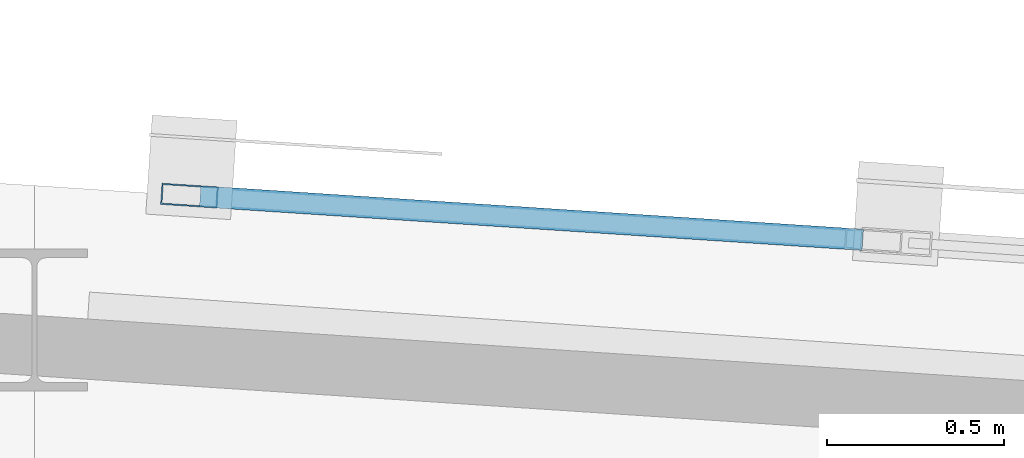
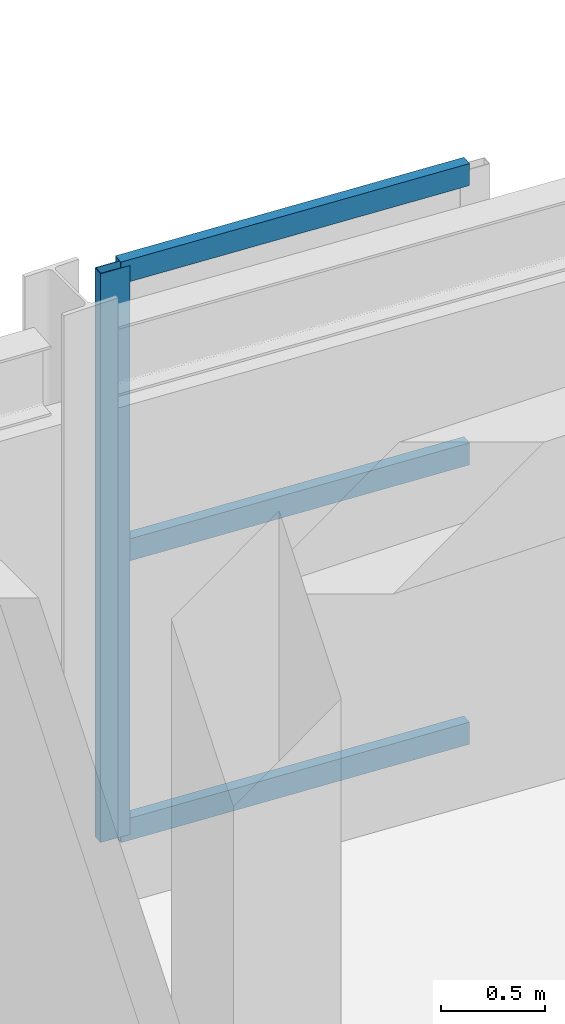
# One storey, part 22 of 48: 4 members, 1 element without a shape of its own.
"""IFC4 building model written with IfcOpenShell, lengths in metres."""

import ifcopenshell
import ifcopenshell.guid

model = None  # the IFC model being written
_history = None  # IfcOwnerHistory: only IFC2X3 demands one
_inside = {}  # id of a spatial element -> (the spatial element, [elements in it])
_under = {}  # id of a project, library or spatial element -> (it, [spatial elements below it])
_declared = {}  # id of a project -> (the project, [libraries it declares])
_typed = {}  # id of a type object -> (the type object, [elements of that type])
_made_of = {}  # id of a material, layer set ... -> (it, [elements and type objects made of it])


def new_model(schema):
    """Start an empty IFC model of exactly this schema.

    Asked for "IFC4X3", IfcOpenShell would pick the latest addendum, in which some entities
    have other attributes; the version numbers below select the first issue.
    IFC2X3 requires an IfcOwnerHistory on every rooted entity: one is made here for all.
    """
    global model, _history
    if schema == "IFC4X3":
        model = ifcopenshell.file(schema_version=(4, 3, 0, 0))
    else:
        model = ifcopenshell.file(schema=schema)
    _inside.clear()
    _under.clear()
    _declared.clear()
    _typed.clear()
    _made_of.clear()
    _history = None
    if model.schema == "IFC2X3":
        org = make("IfcOrganization", Name="unknown")
        user = make(
            "IfcPersonAndOrganization",
            ThePerson=make("IfcPerson", FamilyName="unknown"),
            TheOrganization=org,
        )
        app = make(
            "IfcApplication",
            ApplicationDeveloper=org,
            Version="unknown",
            ApplicationFullName="unknown",
            ApplicationIdentifier="unknown",
        )
        _history = make(
            "IfcOwnerHistory",
            OwningUser=user,
            OwningApplication=app,
            ChangeAction="ADDED",
            CreationDate=0,
        )
    return model


def make(cls, **values):
    """One entity of the class cls with the attributes given. An attribute that is None is left unset."""
    return model.create_entity(
        cls, **{name: value for name, value in values.items() if value is not None}
    )


def rooted(cls, **values):
    """An entity with a GlobalId (a new one), such as an element, a storey or a relation."""
    return make(cls, GlobalId=ifcopenshell.guid.new(), OwnerHistory=_history, **values)


def si_unit(unit_type, name, prefix=None):
    """IfcSIUnit, for example si_unit("LENGTHUNIT", "METRE", prefix="MILLI")."""
    return make("IfcSIUnit", UnitType=unit_type, Prefix=prefix, Name=name)


def assignment(units):
    """IfcUnitAssignment: the units of a project."""
    return None if units is None else make("IfcUnitAssignment", Units=units)


def point(xyz):
    """IfcCartesianPoint."""
    return None if xyz is None else make("IfcCartesianPoint", Coordinates=xyz)


def direction(xyz):
    """IfcDirection."""
    return None if xyz is None else make("IfcDirection", DirectionRatios=xyz)


def frame(location, z_axis=None, x_axis=None):
    """IfcAxis2Placement3D, a coordinate frame: its origin and axes. An axis left out is left unset."""
    return make(
        "IfcAxis2Placement3D",
        Location=point(location),
        Axis=direction(z_axis),
        RefDirection=direction(x_axis),
    )


def frame_2d(location, x_axis=None):
    """IfcAxis2Placement2D, a coordinate frame in the plane: its origin and x axis."""
    return make(
        "IfcAxis2Placement2D", Location=point(location), RefDirection=direction(x_axis)
    )


def origin():
    """The frame at (0, 0, 0) with its axes left unset."""
    return frame((0.0, 0.0, 0.0))


def origin_2d():
    """The frame at (0, 0) in the plane with its x axis left unset."""
    return frame_2d((0.0, 0.0))


def place(relative_to, where):
    """IfcLocalPlacement: puts the frame where relative to a parent placement (None: the world)."""
    return make(
        "IfcLocalPlacement", PlacementRelTo=relative_to, RelativePlacement=where
    )


def context(
    kind, dimensions, precision=None, world=None, true_north=None, identifier=None
):
    """IfcGeometricRepresentationContext, for example the 3D "Model" context."""
    return make(
        "IfcGeometricRepresentationContext",
        ContextIdentifier=identifier,
        ContextType=kind,
        CoordinateSpaceDimension=dimensions,
        Precision=precision,
        WorldCoordinateSystem=world,
        TrueNorth=true_north,
    )


def subcontext(parent, identifier, kind, view, scale=None):
    """IfcGeometricRepresentationSubContext, for example "Body" below "Model"."""
    return make(
        "IfcGeometricRepresentationSubContext",
        ContextIdentifier=identifier,
        ContextType=kind,
        ParentContext=parent,
        TargetScale=scale,
        TargetView=view,
    )


def project(units=None, contexts=None):
    """IfcProject with its units and contexts."""
    return rooted(
        "IfcProject",
        Name="project",
        RepresentationContexts=contexts,
        UnitsInContext=assignment(units),
    )


def spatial(cls, under=None, at=None, **own):
    """A site, building, storey or space (cls), placed at a placement, below another one or the project."""
    s = rooted(cls, ObjectPlacement=at, **own)
    if under is not None:
        _under.setdefault(under.id(), (under, []))[1].append(s)
    return s


def profile(cls, at=None, kind="AREA", **sizes):
    """A parametric profile (cls). Its sizes go by their IFC names, for example OverallWidth=200.0."""
    return make(cls, ProfileType=kind, Position=at, **sizes)


def hollow_rectangle(**sizes):
    """IfcRectangleHollowProfileDef."""
    return profile("IfcRectangleHollowProfileDef", **sizes)


def extrude(swept, where, along, depth):
    """IfcExtrudedAreaSolid: the profile swept, set in the frame where, extruded along a direction by depth."""
    return make(
        "IfcExtrudedAreaSolid",
        SweptArea=swept,
        Position=where,
        ExtrudedDirection=direction(along),
        Depth=depth,
    )


def shape(context_of_items, identifier, shape_type, items):
    """IfcShapeRepresentation: the items that make up one representation, for example the "Body"."""
    return make(
        "IfcShapeRepresentation",
        ContextOfItems=context_of_items,
        RepresentationIdentifier=identifier,
        RepresentationType=shape_type,
        Items=items,
    )


def material(Name=None, Category=None):
    """IfcMaterial."""
    return make("IfcMaterial", Name=Name, Category=Category)


def layer(
    of_material, thickness, ventilated=None, Name=None, Category=None, Priority=None
):
    """IfcMaterialLayer: one layer of a wall or slab, of a material (None: an air gap)."""
    return make(
        "IfcMaterialLayer",
        Material=of_material,
        LayerThickness=thickness,
        IsVentilated=ventilated,
        Name=Name,
        Category=Category,
        Priority=Priority,
    )


def layer_set(layers, Name=None):
    """IfcMaterialLayerSet."""
    return make("IfcMaterialLayerSet", MaterialLayers=layers, LayerSetName=Name)


def material_profile(
    of_material, cross_section, Name=None, Category=None, Priority=None
):
    """IfcMaterialProfile: a cross section and its material."""
    return make(
        "IfcMaterialProfile",
        Name=Name,
        Material=of_material,
        Profile=cross_section,
        Priority=Priority,
        Category=Category,
    )


def profile_set(profiles, Name=None, composite=None):
    """IfcMaterialProfileSet."""
    return make(
        "IfcMaterialProfileSet",
        Name=Name,
        MaterialProfiles=profiles,
        CompositeProfile=composite,
    )


def made_of(thing, what):
    """Note that an element or type object is made of a material, layer set ...; save() writes the relation."""
    if what is not None:
        _made_of.setdefault(what.id(), (what, []))[1].append(thing)
    return thing


def type_object(cls, material=None, **own):
    """A type object (cls), such as IfcWallType, which elements share."""
    return made_of(rooted(cls, **own), material)


def element(
    cls,
    number,
    at=None,
    inside=None,
    cuts=None,
    type_object=None,
    material=None,
    context=None,
    identifier="Body",
    shape_type=None,
    held_by="IfcProductDefinitionShape",
    body=None,
    shapes=None,
    **own,
):
    """One element of the class cls, such as IfcWall. Its Tag is "e" and its number.

    at: its placement. inside: the storey or other place that contains it. cuts: it is an
    opening in that element (IfcRelVoidsElement). A single representation is given by context,
    identifier, shape_type and body (its items); several are given by shapes. held_by: the class
    of the entity that holds the representations. save() writes the other relations.
    """
    e = rooted(cls, Tag="e%d" % number, ObjectPlacement=at, **own)
    if body is not None:
        shapes = [shape(context, identifier, shape_type, body)]
    if shapes is not None:
        e.Representation = make(held_by, Representations=shapes)
    if inside is not None:
        _inside.setdefault(inside.id(), (inside, []))[1].append(e)
    if cuts is not None:
        rooted(
            "IfcRelVoidsElement", RelatingBuildingElement=cuts, RelatedOpeningElement=e
        )
    if type_object is not None:
        _typed.setdefault(type_object.id(), (type_object, []))[1].append(e)
    return made_of(e, material)


def aggregate(whole, parts):
    """IfcRelAggregates: a whole, such as a stair, and the parts it consists of."""
    return rooted("IfcRelAggregates", RelatingObject=whole, RelatedObjects=parts)


def save(model, path):
    """Write the relations noted so far, then the file.

    IfcRelAggregates (storeys below a building ...), IfcRelContainedInSpatialStructure (elements
    in a storey), IfcRelDefinesByType, IfcRelAssociatesMaterial and IfcRelDeclares: one each for
    every whole, place, type object, material and project.
    """
    for whole, parts in _under.values():
        aggregate(whole, parts)
    for where, things in _inside.values():
        rooted(
            "IfcRelContainedInSpatialStructure",
            RelatedElements=things,
            RelatingStructure=where,
        )
    for kind, things in _typed.values():
        rooted("IfcRelDefinesByType", RelatedObjects=things, RelatingType=kind)
    for what, things in _made_of.values():
        rooted("IfcRelAssociatesMaterial", RelatedObjects=things, RelatingMaterial=what)
    for by, libraries in _declared.values():
        rooted("IfcRelDeclares", RelatingContext=by, RelatedDefinitions=libraries)
    model.write(path)


model = new_model("IFC4")

# Units and contexts
model_context = context("Model", 3, precision=1e-05, world=origin(), true_north=direction((0.0, 1.0)))
body_context = subcontext(model_context, "Body", "Model", "MODEL_VIEW")
ifc_project = project(units=[si_unit("LENGTHUNIT", "METRE"), si_unit("AREAUNIT", "SQUARE_METRE"), si_unit("VOLUMEUNIT", "CUBIC_METRE"), si_unit("PLANEANGLEUNIT", "RADIAN"), si_unit("MASSUNIT", "GRAM", prefix="KILO")], contexts=[model_context])

# Site, building, storey
site_placement = place(None, origin())
site = spatial("IfcSite", under=ifc_project, at=site_placement, CompositionType="ELEMENT")
building_placement = place(site_placement, origin())
building = spatial("IfcBuilding", under=site, at=building_placement, Name="Carrowvane Square Congress Hotel", CompositionType="ELEMENT")
storey_placement = place(building_placement, frame((0.0, 0.0, 26.39990234375)))
storey = spatial("IfcBuildingStorey", under=building, at=storey_placement, Name="L06", CompositionType="ELEMENT", Elevation=26.39990234375)

# Curtain wall, members
ifc_material_1 = material(Name="Anodised aluminium", Category="aluminium")
ifc_layer = layer(ifc_material_1, 0.18603515625)
ifc_layer_set = layer_set([ifc_layer], Name="Anodised aluminium")
curtain_wall_type = type_object("IfcCurtainWallType", Name="CW-SYS-3", PredefinedType="NOTDEFINED", material=ifc_layer_set)
curtain_wall_placement = place(storey_placement, origin())
curtain_wall = element("IfcCurtainWall", 1, at=curtain_wall_placement, inside=storey, type_object=curtain_wall_type, Name="L06 unitised curtain wall 394", PredefinedType="NOTDEFINED")
ifc_material_2 = material(Name="Anodised aluminium", Category="aluminium")
ifc_material_profile_1 = material_profile(ifc_material_2, hollow_rectangle(XDim=0.06005859375, YDim=0.159912109375, WallThickness=0.00390625, at=origin_2d()), Name="CW-ML 60x160x4")
ifc_profile_set_1 = profile_set([ifc_material_profile_1], Name="Anodised aluminium")
member_type_1 = type_object("IfcMemberType", Name="CW-MUL-1", PredefinedType="MULLION", material=ifc_profile_set_1)
member_1_placement = place(storey_placement, frame((127.23828125, 115.545654296875, 0.0), z_axis=(0.0, 0.0, 1.0), x_axis=(0.065413941589, 0.9978582145, 0.0)))
member_1 = element("IfcMember", 2, at=member_1_placement, type_object=member_type_1, Name="CW-3 mullion 1", PredefinedType="MULLION", context=body_context, shape_type="SweptSolid", body=[
    extrude(hollow_rectangle(XDim=0.06005859375, YDim=0.159912109375, WallThickness=0.00390625, at=origin_2d()), origin(), (0.0, 0.0, 1.0), 3.35009765625),
])
ifc_material_3 = material(Name="Anodised aluminium", Category="aluminium")
ifc_material_profile_2 = material_profile(ifc_material_3, hollow_rectangle(XDim=0.06005859375, YDim=0.1298828125, WallThickness=0.00390625, at=origin_2d()), Name="CW-TR 60x130x4")
ifc_profile_set_2 = profile_set([ifc_material_profile_2], Name="Anodised aluminium")
member_type_2 = type_object("IfcMemberType", Name="CW-TRN-1", PredefinedType="USERDEFINED", material=ifc_profile_set_2)
member_2_placement = place(storey_placement, frame((127.268310546875, 115.543701171875, 0.030029296875), z_axis=(0.997854858908, -0.065465109434, 0.0), x_axis=(0.065465109434, 0.997854858908, 0.0)))
member_2 = element("IfcMember", 3, at=member_2_placement, type_object=member_type_2, Name="CW-3 transom 1.1", ObjectType="TRANSOM", PredefinedType="USERDEFINED", context=body_context, shape_type="SweptSolid", body=[
    extrude(hollow_rectangle(XDim=0.06005859375, YDim=0.1298828125, WallThickness=0.00390625, at=origin_2d()), origin(), (0.0, 0.0, 1.0), 1.875732421875),
])
member_3_placement = place(storey_placement, frame((127.268310546875, 115.543701171875, 1.675048828125), z_axis=(0.997854858908, -0.065465109434, 0.0), x_axis=(0.065465109434, 0.997854858908, 0.0)))
member_3 = element("IfcMember", 4, at=member_3_placement, type_object=member_type_2, Name="CW-3 transom 1.2", ObjectType="TRANSOM", PredefinedType="USERDEFINED", context=body_context, shape_type="SweptSolid", body=[
    extrude(hollow_rectangle(XDim=0.06005859375, YDim=0.1298828125, WallThickness=0.00390625, at=origin_2d()), origin(), (0.0, 0.0, 1.0), 1.875732421875),
])
member_4_placement = place(storey_placement, frame((127.268310546875, 115.543701171875, 3.320068359375), z_axis=(0.997854858908, -0.065465109434, 0.0), x_axis=(0.065465109434, 0.997854858908, 0.0)))
member_4 = element("IfcMember", 5, at=member_4_placement, type_object=member_type_2, Name="CW-3 transom 1.3", ObjectType="TRANSOM", PredefinedType="USERDEFINED", context=body_context, shape_type="SweptSolid", body=[
    extrude(hollow_rectangle(XDim=0.06005859375, YDim=0.1298828125, WallThickness=0.00390625, at=origin_2d()), origin(), (0.0, 0.0, 1.0), 1.875732421875),
])
aggregate(curtain_wall, [member_1, member_2, member_3, member_4])

save(model, "model.ifc")
